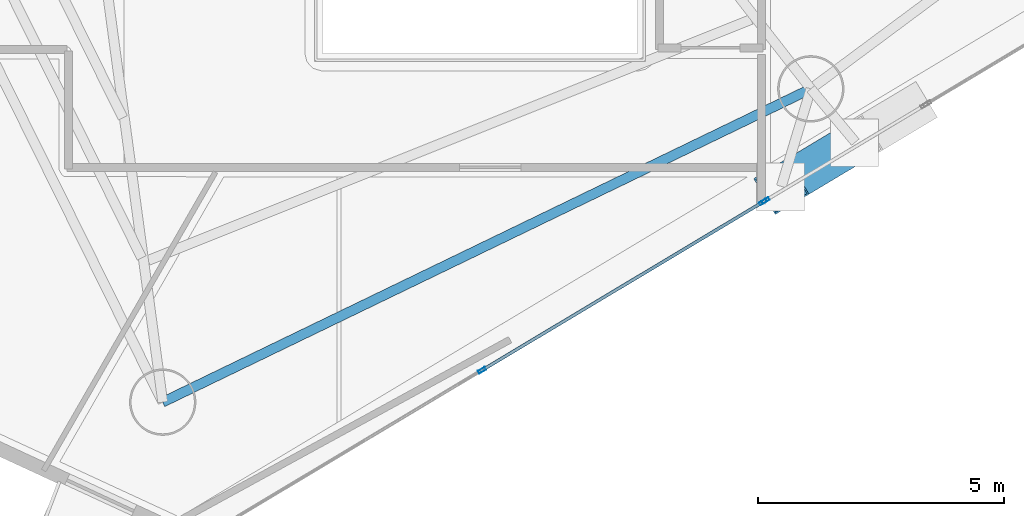
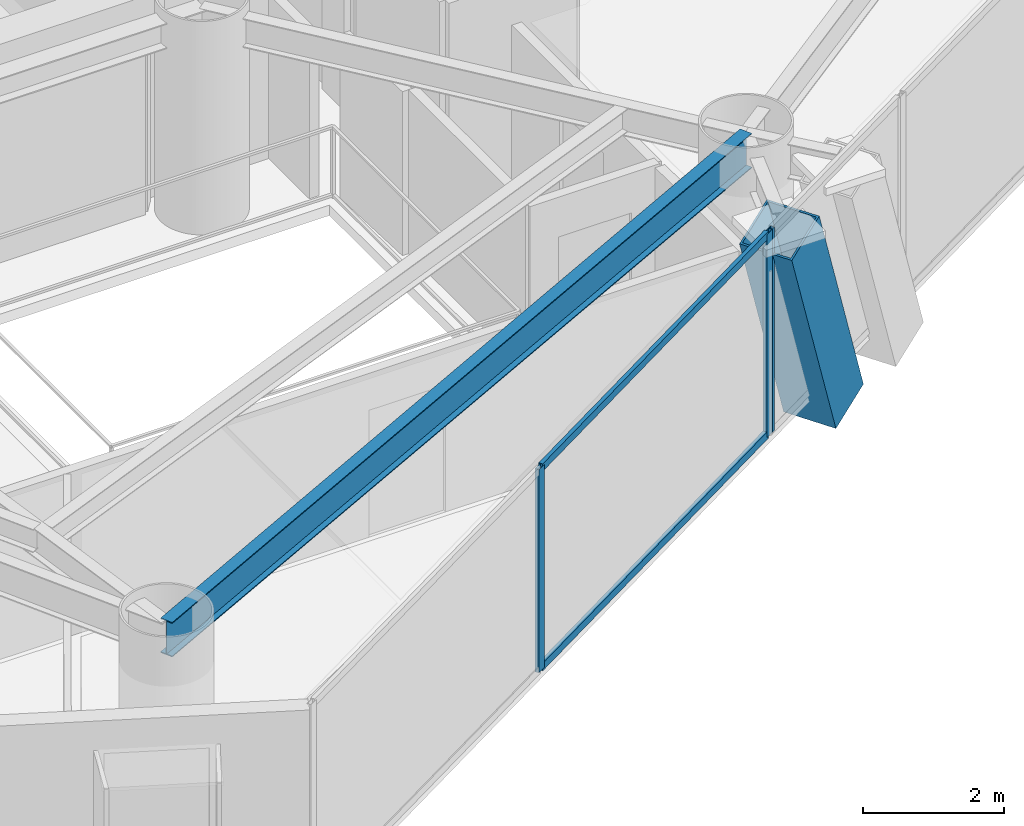
# One storey, part 5 of 22: 6 members, 1 beam, 2 elements without a shape of their own.
"""IFC4 building model written with IfcOpenShell, lengths in metres."""

from ifc_helpers import new_model, si_unit, direction, frame, origin, origin_2d, place, context, subcontext, project, spatial, hollow_rectangle, i_section, extrude, material, layer, layer_set, material_profile, profile_set, type_object, element, aggregate, save


model = new_model("IFC4")

# Units and contexts
model_context = context("Model", 3, precision=1e-05, world=origin(), true_north=direction((0.0, 1.0)))
body_context = subcontext(model_context, "Body", "Model", "MODEL_VIEW")
ifc_project = project(units=[si_unit("LENGTHUNIT", "METRE"), si_unit("AREAUNIT", "SQUARE_METRE"), si_unit("VOLUMEUNIT", "CUBIC_METRE"), si_unit("PLANEANGLEUNIT", "RADIAN"), si_unit("MASSUNIT", "GRAM", prefix="KILO")], contexts=[model_context])

# Site, building, storey
site_placement = place(None, origin())
site = spatial("IfcSite", under=ifc_project, at=site_placement, CompositionType="ELEMENT")
building_placement = place(site_placement, origin())
building = spatial("IfcBuilding", under=site, at=building_placement, Name="Qianvela Tower", CompositionType="ELEMENT")
storey_placement = place(building_placement, frame((0.0, 0.0, 173.5)))
storey = spatial("IfcBuildingStorey", under=building, at=storey_placement, Name="L44", CompositionType="ELEMENT", Elevation=173.5)

# Beam
ifc_material_1 = material(Name="Steel Q355B", Category="steel")
ifc_material_profile_1 = material_profile(ifc_material_1, i_section(OverallWidth=0.199951171875, OverallDepth=0.60009765625, WebThickness=0.010986328125, FlangeThickness=0.01708984375, at=origin_2d()), Name="HN600x200x11x17")
ifc_profile_set_1 = profile_set([ifc_material_profile_1], Name="Steel Q355B")
beam_type = type_object("IfcBeamType", Name="BM-HN600-GIRD", PredefinedType="BEAM", material=ifc_profile_set_1)
beam_placement = place(storey_placement, frame((30.346923828125, 10.908935546875, 3.218017578125), z_axis=(0.900328583727, 0.435210801019, 0.0), x_axis=(-0.435210801019, 0.900328583727, 0.0)))
element("IfcBeam", 1, at=beam_placement, inside=storey, type_object=beam_type, Name="L44 Perimeter Ring Spandrel Girder 5", PredefinedType="BEAM", context=body_context, shape_type="SweptSolid", body=[
    extrude(i_section(OverallWidth=0.199951171875, OverallDepth=0.60009765625, WebThickness=0.010986328125, FlangeThickness=0.01708984375, at=origin_2d()), origin(), (0.0, 0.0, 1.0), 14.636962890625),
])

# Curtain wall, member
ifc_material_2 = material(Name="Anodised Architectural Aluminium and Insulated Spandrel Panel", Category="aluminium")
ifc_layer_1 = layer(ifc_material_2, 0.179931640625)
ifc_layer_set_1 = layer_set([ifc_layer_1], Name="Anodised Architectural Aluminium and Insulated Spandrel Panel")
curtain_wall_type_1 = type_object("IfcCurtainWallType", Name="CW-BRACEBAY", PredefinedType="USERDEFINED", material=ifc_layer_set_1)
curtain_wall_1_placement = place(storey_placement, origin())
curtain_wall_1 = element("IfcCurtainWall", 2, at=curtain_wall_1_placement, inside=storey, type_object=curtain_wall_type_1, Name="L44 CW-BRACEBAY Curtain Wall 06B", ObjectType="CURTAIN_WALL_SYSTEM", PredefinedType="USERDEFINED")
ifc_material_3 = material(Name="Anodised Architectural Aluminium 6063-T6", Category="aluminium")
ifc_material_profile_2 = material_profile(ifc_material_3, hollow_rectangle(XDim=0.06494140625, YDim=0.159912109375, WallThickness=0.0048828125, at=origin_2d()), Name="ALU-MULL-65x160")
ifc_profile_set_2 = profile_set([ifc_material_profile_2], Name="Anodised Architectural Aluminium 6063-T6")
member_type_1 = type_object("IfcMemberType", Name="CW-BRACEBAY-MULL", PredefinedType="MULLION", material=ifc_profile_set_2)
member_1_placement = place(storey_placement, frame((42.605712890625, 15.01025390625, 0.0), z_axis=(0.0, 0.0, 1.0), x_axis=(-0.51372762697, 0.857953335146, 0.0)))
member_1 = element("IfcMember", 3, at=member_1_placement, type_object=member_type_1, Name="CW-9 mullion 1", PredefinedType="MULLION", context=body_context, shape_type="SweptSolid", body=[
    extrude(hollow_rectangle(XDim=0.06494140625, YDim=0.159912109375, WallThickness=0.0048828125, at=origin_2d()), origin(), (0.0, 0.0, 1.0), 3.52001953125),
])
aggregate(curtain_wall_1, [member_1])

# Curtain wall, members
ifc_material_4 = material(Name="Anodised Architectural Aluminium and Low-E Glass", Category="aluminium")
ifc_layer_2 = layer(ifc_material_4, 0.169921875)
ifc_layer_set_2 = layer_set([ifc_layer_2], Name="Anodised Architectural Aluminium and Low-E Glass")
curtain_wall_type_2 = type_object("IfcCurtainWallType", Name="CW-COLIV-Z34", PredefinedType="USERDEFINED", material=ifc_layer_set_2)
curtain_wall_2_placement = place(storey_placement, origin())
curtain_wall_2 = element("IfcCurtainWall", 4, at=curtain_wall_2_placement, inside=storey, type_object=curtain_wall_type_2, Name="L44 CW-COLIV-Z34 Curtain Wall 06A", ObjectType="CURTAIN_WALL_SYSTEM", PredefinedType="USERDEFINED")
ifc_material_5 = material(Name="Anodised Architectural Aluminium 6063-T6", Category="aluminium")
ifc_material_profile_3 = material_profile(ifc_material_5, hollow_rectangle(XDim=0.06494140625, YDim=0.159912109375, WallThickness=0.0048828125, at=origin_2d()), Name="ALU-MULL-65x160")
ifc_profile_set_3 = profile_set([ifc_material_profile_3], Name="Anodised Architectural Aluminium 6063-T6")
member_type_2 = type_object("IfcMemberType", Name="CW-COLIV-Z34-MULL", PredefinedType="MULLION", material=ifc_profile_set_3)
member_2_placement = place(storey_placement, frame((36.838134765625, 11.556640625, 0.0), z_axis=(0.0, 0.0, 1.0), x_axis=(-0.513738276787, 0.85794695813, 0.0)))
member_2 = element("IfcMember", 5, at=member_2_placement, type_object=member_type_2, Name="CW-4 mullion 2", PredefinedType="MULLION", context=body_context, shape_type="SweptSolid", body=[
    extrude(hollow_rectangle(XDim=0.06494140625, YDim=0.159912109375, WallThickness=0.0048828125, at=origin_2d()), origin(), (0.0, 0.0, 1.0), 3.52001953125),
])
member_3_placement = place(storey_placement, frame((42.550048828125, 14.976806640625, 0.0), z_axis=(0.0, 0.0, 1.0), x_axis=(-0.513738276787, 0.85794695813, 0.0)))
member_3 = element("IfcMember", 6, at=member_3_placement, type_object=member_type_2, Name="CW-4 mullion 3", PredefinedType="MULLION", context=body_context, shape_type="SweptSolid", body=[
    extrude(hollow_rectangle(XDim=0.06494140625, YDim=0.159912109375, WallThickness=0.0048828125, at=origin_2d()), origin(), (0.0, 0.0, 1.0), 3.52001953125),
])
ifc_material_6 = material(Name="Anodised Architectural Aluminium 6063-T6", Category="aluminium")
ifc_material_profile_4 = material_profile(ifc_material_6, hollow_rectangle(XDim=0.06494140625, YDim=0.1298828125, WallThickness=0.00439453125, at=origin_2d()), Name="ALU-TRAN-65x130")
ifc_profile_set_4 = profile_set([ifc_material_profile_4], Name="Anodised Architectural Aluminium 6063-T6")
member_type_3 = type_object("IfcMemberType", Name="CW-COLIV-Z34-TRAN", PredefinedType="USERDEFINED", material=ifc_profile_set_4)
member_4_placement = place(storey_placement, frame((36.8662109375, 11.573486328125, 0.032470703125), z_axis=(0.857953321236, 0.5137276502, 0.0), x_axis=(-0.5137276502, 0.857953321236, 0.0)))
member_4 = element("IfcMember", 7, at=member_4_placement, type_object=member_type_3, Name="CW-4 transom 2.1", ObjectType="TRANSOM", PredefinedType="USERDEFINED", context=body_context, shape_type="SweptSolid", body=[
    extrude(hollow_rectangle(XDim=0.06494140625, YDim=0.1298828125, WallThickness=0.00439453125, at=origin_2d()), origin(), (0.0, 0.0, 1.0), 6.592529296875),
])
member_5_placement = place(storey_placement, frame((36.8662109375, 11.573486328125, 3.487548828125), z_axis=(0.857953321236, 0.5137276502, 0.0), x_axis=(-0.5137276502, 0.857953321236, 0.0)))
member_5 = element("IfcMember", 8, at=member_5_placement, type_object=member_type_3, Name="CW-4 transom 2.2", ObjectType="TRANSOM", PredefinedType="USERDEFINED", context=body_context, shape_type="SweptSolid", body=[
    extrude(hollow_rectangle(XDim=0.06494140625, YDim=0.1298828125, WallThickness=0.00439453125, at=origin_2d()), origin(), (0.0, 0.0, 1.0), 6.592529296875),
])
aggregate(curtain_wall_2, [member_2, member_3, member_4, member_5])

# Member
ifc_material_7 = material(Name="Steel Q420GJC", Category="steel")
ifc_material_profile_5 = material_profile(ifc_material_7, hollow_rectangle(XDim=0.85009765625, YDim=0.85009765625, WallThickness=0.031982421875, at=origin_2d()), Name="MBOX-850x850x32")
ifc_profile_set_5 = profile_set([ifc_material_profile_5], Name="Steel Q420GJC")
member_type_4 = type_object("IfcMemberType", Name="MBR-MBRACE-850", PredefinedType="BRACE", material=ifc_profile_set_5)
member_6_placement = place(storey_placement, frame((44.03173828125, 15.957275390625, -0.48193359375), z_axis=(-0.282102743947, -0.168937605222, 0.94439299415), x_axis=(0.513770961484, -0.857927385701, 0.0)))
element("IfcMember", 9, at=member_6_placement, inside=storey, type_object=member_type_4, Name="L44 Tier 7 Exterior Mega-Brace F3A", PredefinedType="BRACE", context=body_context, shape_type="SweptSolid", body=[
    extrude(hollow_rectangle(XDim=0.85009765625, YDim=0.85009765625, WallThickness=0.031982421875, at=origin_2d()), origin(), (0.0, 0.0, 1.0), 3.917724609375),
])

save(model, "model.ifc")
